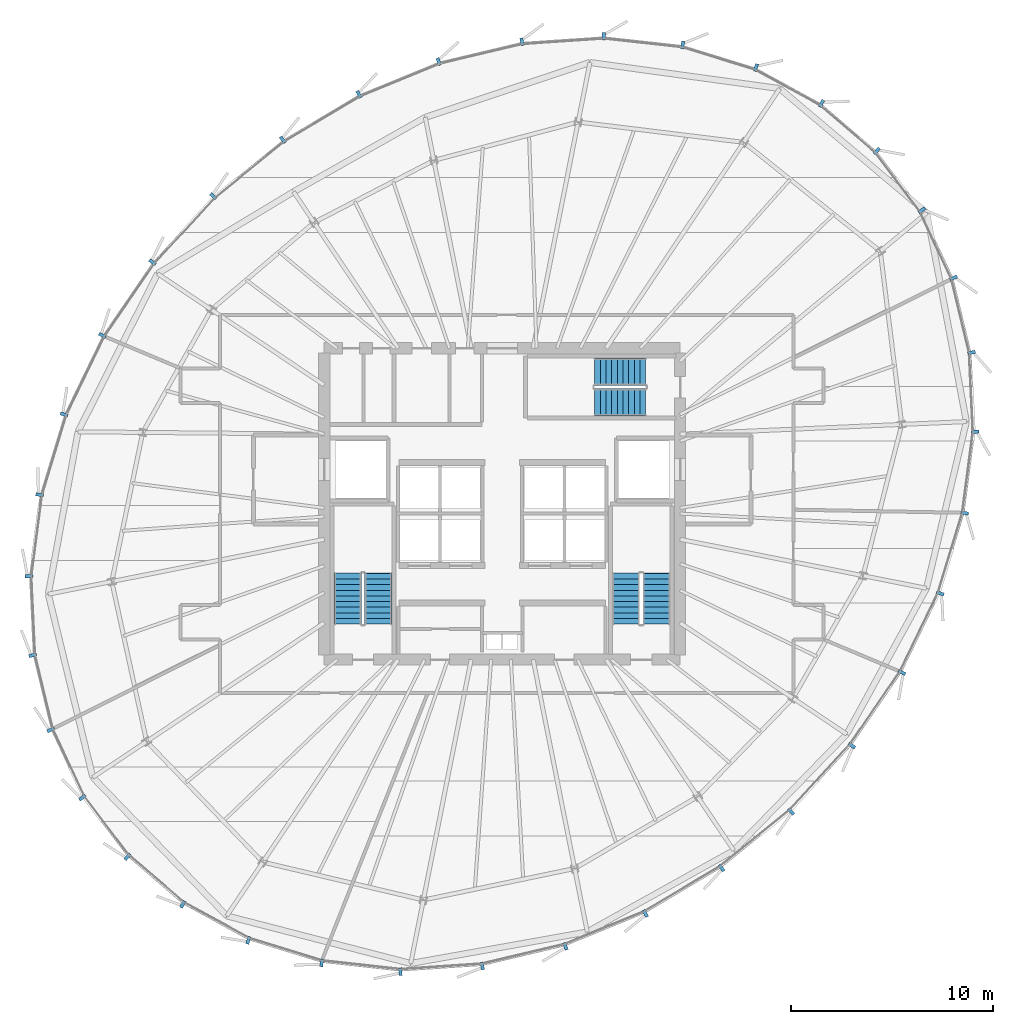
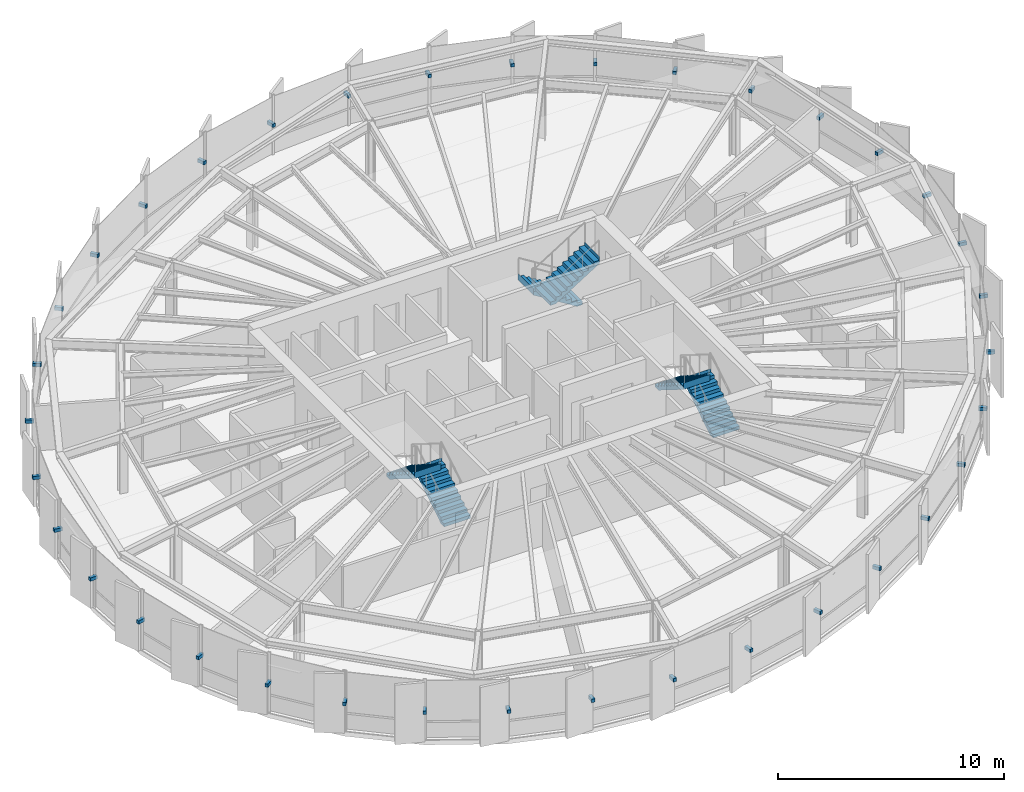
# One storey, part 31 of 34: 36 discrete accessories, 6 stair flights, 3 elements without a shape of their own.
"""IFC4 building model written with IfcOpenShell, lengths in metres."""

from ifc_helpers import new_model, si_unit, direction, frame, origin, origin_2d, place, context, subcontext, project, spatial, polyline, rectangle, outline, extrude, source, transform, mapped, material, type_object, element, aggregate, save


model = new_model("IFC4")

# Units and contexts
model_context = context("Model", 3, precision=1e-05, world=origin(), true_north=direction((0.0, 1.0)))
body_context = subcontext(model_context, "Body", "Model", "MODEL_VIEW")
ifc_project = project(units=[si_unit("LENGTHUNIT", "METRE"), si_unit("AREAUNIT", "SQUARE_METRE"), si_unit("VOLUMEUNIT", "CUBIC_METRE"), si_unit("PLANEANGLEUNIT", "RADIAN"), si_unit("MASSUNIT", "GRAM", prefix="KILO"), si_unit("THERMODYNAMICTEMPERATUREUNIT", "KELVIN")], contexts=[model_context])

# Site, building, storey
site_placement = place(None, origin())
site = spatial("IfcSite", under=ifc_project, at=site_placement, CompositionType="ELEMENT")
building_placement = place(site_placement, origin())
building = spatial("IfcBuilding", under=site, at=building_placement, Name="Kethvar Cultural Tower", CompositionType="ELEMENT")
storey_placement = place(building_placement, frame((0.0, 0.0, 207.89990234375)))
storey = spatial("IfcBuildingStorey", under=building, at=storey_placement, Name="L54", CompositionType="ELEMENT", Elevation=207.89990234375)

# Stair, stair flights
ifc_material_1 = material(Name="Concrete C40/50", Category="concrete")
stair_type = type_object("IfcStairType", Name="ST-DOGLEG-135", PredefinedType="HALF_TURN_STAIR", material=ifc_material_1)
stair_1_placement = place(storey_placement, origin())
stair_1 = element("IfcStair", 1, at=stair_1_placement, inside=storey, type_object=stair_type, Name="L54 Core Exit Stair 1", PredefinedType="HALF_TURN_STAIR")
stair_flight_type = type_object("IfcStairFlightType", Name="FL-STRAIGHT-135", PredefinedType="STRAIGHT", material=ifc_material_1)
stair_flight_1_placement = place(storey_placement, frame((40.675048828125, 21.85009765625, 0.0), z_axis=(0.0, 0.0, 1.0), x_axis=(0.0, 1.0, 0.0)))
stair_flight_1 = element("IfcStairFlight", 2, at=stair_flight_1_placement, type_object=stair_flight_type, Name="ST-01 flight 1", NumberOfRisers=10, NumberOfTreads=9, PredefinedType="STRAIGHT", RiserHeight=0.175, TreadLength=0.28, context=body_context, shape_type="SweptSolid", body=[
    extrude(outline(polyline([(-0.0009765625, -0.0009765625), (-0.0009765625, 0.175048828125), (0.280029296875, 0.175048828125), (0.280029296875, 0.35009765625), (0.56005859375, 0.35009765625), (0.56005859375, 0.52490234375), (0.840087890625, 0.52490234375), (0.840087890625, 0.699951171875), (1.1201171875, 0.699951171875), (1.1201171875, 0.875), (1.39990234375, 0.875), (1.39990234375, 1.050048828125), (1.679931640625, 1.050048828125), (1.679931640625, 1.22509765625), (1.9599609375, 1.22509765625), (1.9599609375, 1.39990234375), (2.239990234375, 1.39990234375), (2.239990234375, 1.574951171875), (2.52001953125, 1.574951171875), (2.52001953125, 1.75), (2.52099609375, 1.75), (2.52099609375, 1.398193359375), (0.28271484375, 0.0), (0.0, -0.0009765625), (-0.0009765625, -0.0009765625)])), frame((0.0, 0.675048828125, 0.0), z_axis=(0.0, -1.0, 0.0), x_axis=(1.0, 0.0, 0.0)), (0.0, 0.0, 1.0), 1.35009765625),
])
stair_flight_2_placement = place(storey_placement, frame((39.1650390625, 24.3701171875, 1.75), z_axis=(0.0, 0.0, 1.0), x_axis=(0.0, -1.0, 0.0)))
stair_flight_2 = element("IfcStairFlight", 3, at=stair_flight_2_placement, type_object=stair_flight_type, Name="ST-01 flight 2", NumberOfRisers=10, NumberOfTreads=9, PredefinedType="STRAIGHT", RiserHeight=0.175, TreadLength=0.28, context=body_context, shape_type="SweptSolid", body=[
    extrude(outline(polyline([(-0.0009765625, -0.0009765625), (-0.0009765625, 0.175048828125), (0.280029296875, 0.175048828125), (0.280029296875, 0.35009765625), (0.56005859375, 0.35009765625), (0.56005859375, 0.52490234375), (0.840087890625, 0.52490234375), (0.840087890625, 0.699951171875), (1.1201171875, 0.699951171875), (1.1201171875, 0.875), (1.39990234375, 0.875), (1.39990234375, 1.050048828125), (1.679931640625, 1.050048828125), (1.679931640625, 1.22509765625), (1.9599609375, 1.22509765625), (1.9599609375, 1.39990234375), (2.239990234375, 1.39990234375), (2.239990234375, 1.574951171875), (2.52001953125, 1.574951171875), (2.52001953125, 1.75), (2.52099609375, 1.75), (2.52099609375, 1.398193359375), (0.28271484375, 0.0), (0.0, -0.0009765625), (-0.0009765625, -0.0009765625)])), frame((0.0, 0.675048828125, 0.0), z_axis=(0.0, -1.0, 0.0), x_axis=(1.0, 0.0, 0.0)), (0.0, 0.0, 1.0), 1.35009765625),
])
aggregate(stair_1, [stair_flight_1, stair_flight_2])

stair_2_placement = place(storey_placement, origin())
stair_2 = element("IfcStair", 4, at=stair_2_placement, inside=storey, type_object=stair_type, Name="L54 Core Exit Stair 2", PredefinedType="HALF_TURN_STAIR")
stair_flight_3_placement = place(storey_placement, frame((54.43505859375, 21.85009765625, 0.0), z_axis=(0.0, 0.0, 1.0), x_axis=(0.0, 1.0, 0.0)))
stair_flight_3 = element("IfcStairFlight", 5, at=stair_flight_3_placement, type_object=stair_flight_type, Name="ST-02 flight 1", NumberOfRisers=10, NumberOfTreads=9, PredefinedType="STRAIGHT", RiserHeight=0.175, TreadLength=0.28, context=body_context, shape_type="SweptSolid", body=[
    extrude(outline(polyline([(-0.0009765625, -0.0009765625), (-0.0009765625, 0.175048828125), (0.280029296875, 0.175048828125), (0.280029296875, 0.35009765625), (0.56005859375, 0.35009765625), (0.56005859375, 0.52490234375), (0.840087890625, 0.52490234375), (0.840087890625, 0.699951171875), (1.1201171875, 0.699951171875), (1.1201171875, 0.875), (1.39990234375, 0.875), (1.39990234375, 1.050048828125), (1.679931640625, 1.050048828125), (1.679931640625, 1.22509765625), (1.9599609375, 1.22509765625), (1.9599609375, 1.39990234375), (2.239990234375, 1.39990234375), (2.239990234375, 1.574951171875), (2.52001953125, 1.574951171875), (2.52001953125, 1.75), (2.52099609375, 1.75), (2.52099609375, 1.398193359375), (0.28271484375, 0.0), (0.0, -0.0009765625), (-0.0009765625, -0.0009765625)])), frame((0.0, 0.675048828125, 0.0), z_axis=(0.0, -1.0, 0.0), x_axis=(1.0, 0.0, 0.0)), (0.0, 0.0, 1.0), 1.35009765625),
])
stair_flight_4_placement = place(storey_placement, frame((52.925048828125, 24.3701171875, 1.75), z_axis=(0.0, 0.0, 1.0), x_axis=(0.0, -1.0, 0.0)))
stair_flight_4 = element("IfcStairFlight", 6, at=stair_flight_4_placement, type_object=stair_flight_type, Name="ST-02 flight 2", NumberOfRisers=10, NumberOfTreads=9, PredefinedType="STRAIGHT", RiserHeight=0.175, TreadLength=0.28, context=body_context, shape_type="SweptSolid", body=[
    extrude(outline(polyline([(-0.0009765625, -0.0009765625), (-0.0009765625, 0.175048828125), (0.280029296875, 0.175048828125), (0.280029296875, 0.35009765625), (0.56005859375, 0.35009765625), (0.56005859375, 0.52490234375), (0.840087890625, 0.52490234375), (0.840087890625, 0.699951171875), (1.1201171875, 0.699951171875), (1.1201171875, 0.875), (1.39990234375, 0.875), (1.39990234375, 1.050048828125), (1.679931640625, 1.050048828125), (1.679931640625, 1.22509765625), (1.9599609375, 1.22509765625), (1.9599609375, 1.39990234375), (2.239990234375, 1.39990234375), (2.239990234375, 1.574951171875), (2.52001953125, 1.574951171875), (2.52001953125, 1.75), (2.52099609375, 1.75), (2.52099609375, 1.398193359375), (0.28271484375, 0.0), (0.0, -0.0009765625), (-0.0009765625, -0.0009765625)])), frame((0.0, 0.675048828125, 0.0), z_axis=(0.0, -1.0, 0.0), x_axis=(1.0, 0.0, 0.0)), (0.0, 0.0, 1.0), 1.35009765625),
])
aggregate(stair_2, [stair_flight_3, stair_flight_4])

stair_3_placement = place(storey_placement, origin())
stair_3 = element("IfcStair", 7, at=stair_3_placement, inside=storey, type_object=stair_type, Name="L54 Core Exit Stair 3", PredefinedType="HALF_TURN_STAIR")
stair_flight_5_placement = place(storey_placement, frame((53.89990234375, 34.3349609375, 0.0), z_axis=(0.0, 0.0, 1.0), x_axis=(-1.0, 0.0, 0.0)))
stair_flight_5 = element("IfcStairFlight", 8, at=stair_flight_5_placement, type_object=stair_flight_type, Name="ST-03 flight 1", NumberOfRisers=10, NumberOfTreads=9, PredefinedType="STRAIGHT", RiserHeight=0.175, TreadLength=0.28, context=body_context, shape_type="SweptSolid", body=[
    extrude(outline(polyline([(-0.0009765625, -0.0009765625), (-0.0009765625, 0.175048828125), (0.280029296875, 0.175048828125), (0.280029296875, 0.35009765625), (0.56005859375, 0.35009765625), (0.56005859375, 0.52490234375), (0.840087890625, 0.52490234375), (0.840087890625, 0.699951171875), (1.1201171875, 0.699951171875), (1.1201171875, 0.875), (1.39990234375, 0.875), (1.39990234375, 1.050048828125), (1.679931640625, 1.050048828125), (1.679931640625, 1.22509765625), (1.9599609375, 1.22509765625), (1.9599609375, 1.39990234375), (2.239990234375, 1.39990234375), (2.239990234375, 1.574951171875), (2.52001953125, 1.574951171875), (2.52001953125, 1.75), (2.52099609375, 1.75), (2.52099609375, 1.398193359375), (0.28271484375, 0.0), (0.0, -0.0009765625), (-0.0009765625, -0.0009765625)])), frame((0.0, 0.675048828125, 0.0), z_axis=(0.0, -1.0, 0.0), x_axis=(1.0, 0.0, 0.0)), (0.0, 0.0, 1.0), 1.35009765625),
])
stair_flight_6_placement = place(storey_placement, frame((51.3798828125, 32.824951171875, 1.75), z_axis=(0.0, 0.0, 1.0), x_axis=(1.0, 0.0, 0.0)))
stair_flight_6 = element("IfcStairFlight", 9, at=stair_flight_6_placement, type_object=stair_flight_type, Name="ST-03 flight 2", NumberOfRisers=10, NumberOfTreads=9, PredefinedType="STRAIGHT", RiserHeight=0.175, TreadLength=0.28, context=body_context, shape_type="SweptSolid", body=[
    extrude(outline(polyline([(-0.0009765625, -0.0009765625), (-0.0009765625, 0.175048828125), (0.280029296875, 0.175048828125), (0.280029296875, 0.35009765625), (0.56005859375, 0.35009765625), (0.56005859375, 0.52490234375), (0.840087890625, 0.52490234375), (0.840087890625, 0.699951171875), (1.1201171875, 0.699951171875), (1.1201171875, 0.875), (1.39990234375, 0.875), (1.39990234375, 1.050048828125), (1.679931640625, 1.050048828125), (1.679931640625, 1.22509765625), (1.9599609375, 1.22509765625), (1.9599609375, 1.39990234375), (2.239990234375, 1.39990234375), (2.239990234375, 1.574951171875), (2.52001953125, 1.574951171875), (2.52001953125, 1.75), (2.52099609375, 1.75), (2.52099609375, 1.398193359375), (0.28271484375, 0.0), (0.0, -0.0009765625), (-0.0009765625, -0.0009765625)])), frame((0.0, 0.675048828125, 0.0), z_axis=(0.0, -1.0, 0.0), x_axis=(1.0, 0.0, 0.0)), (0.0, 0.0, 1.0), 1.35009765625),
])
aggregate(stair_3, [stair_flight_5, stair_flight_6])

# Discrete accessories
ifc_material_2 = material(Name="Steel S355J2", Category="steel")
discrete_accessory_type = type_object("IfcDiscreteAccessoryType", Name="Steel Fin Bracket BRK-01", PredefinedType="BRACKET", material=ifc_material_2)
shared_shape = source(origin(), body_context, "Body", "SweptSolid", [
    extrude(rectangle(XDim=0.3798828125, YDim=0.159912109375, at=origin_2d()), origin(), (0.0, 0.0, 1.0), 0.179931640625),
])
for number, where, z_axis, x_axis, name in (
    (10, (65.32958984375, 45.255126953125, 1.5400390625), (0.0, 0.0, 1.0), (0.652230713301, 0.758020512009, 0.0), "L54 Terracotta Fin Bracket 1.1"),
    (11, (62.595458984375, 47.607177734375, 1.5400390625), (0.0, 0.0, 1.0), (0.480223497443, 0.877146163706, 0.0), "L54 Terracotta Fin Bracket 1.2"),
    (12, (59.351806640625, 49.3828125, 1.5400390625), (0.0, 0.0, 1.0), (0.295207826951, 0.955433063541, 0.0), "L54 Terracotta Fin Bracket 1.3"),
    (13, (55.72705078125, 50.50244140625, 1.5400390625), (0.0, 0.0, 1.0), (0.109734311091, 0.993960955455, 0.0), "L54 Terracotta Fin Bracket 1.4"),
    (14, (51.8310546875, 50.93212890625, 1.5400390625), (0.0, 0.0, 1.0), (-0.067318759124, 0.997731519333, 0.0), "L54 Terracotta Fin Bracket 1.5"),
    (15, (47.7822265625, 50.6591796875, 1.5400390625), (0.0, 0.0, 1.0), (-0.230729088093, 0.973018030618, 0.0), "L54 Terracotta Fin Bracket 1.6"),
    (16, (43.667724609375, 49.6767578125, 1.5400390625), (0.0, 0.0, 1.0), (-0.379133177301, 0.925342117203, 0.0), "L54 Terracotta Fin Bracket 2.1"),
    (17, (39.71923828125, 48.05908203125, 1.5400390625), (0.0, 0.0, 1.0), (-0.512192773854, 0.858870515509, 0.0), "L54 Terracotta Fin Bracket 2.2"),
    (18, (35.9501953125, 45.810791015625, 1.5400390625), (0.0, 0.0, 1.0), (-0.630675807431, 0.776046407067, 0.0), "L54 Terracotta Fin Bracket 2.3"),
    (19, (32.510498046875, 43.015869140625, 1.5400390625), (0.0, 0.0, 1.0), (-0.73491459515, 0.678159669868, 0.0), "L54 Terracotta Fin Bracket 2.4"),
    (20, (29.5048828125, 39.75830078125, 1.5400390625), (0.0, 0.0, 1.0), (-0.825014880368, 0.565111004292, 0.0), "L54 Terracotta Fin Bracket 2.5"),
    (21, (27.02490234375, 36.137451171875, 1.5400390625), (0.0, 0.0, 1.0), (-0.899710196736, 0.436487756861, 0.0), "L54 Terracotta Fin Bracket 2.6"),
    (22, (25.134033203125, 32.225830078125, 1.5400390625), (0.0, 0.0, 1.0), (-0.956610402488, 0.291370104596, 0.0), "L54 Terracotta Fin Bracket 3.1"),
    (23, (23.923828125, 28.25341796875, 1.5400390625), (0.0, 0.0, 1.0), (-0.99153574423, 0.129834001381, 0.0), "L54 Terracotta Fin Bracket 3.2"),
    (24, (23.3974609375, 24.229736328125, 1.5400390625), (0.0, 0.0, 1.0), (-0.998889874962, -0.04710645071, 0.0), "L54 Terracotta Fin Bracket 3.3"),
    (25, (23.58203125, 20.314208984375, 1.5400390625), (0.0, 0.0, 1.0), (-0.972083987461, -0.234633163303, 0.0), "L54 Terracotta Fin Bracket 3.4"),
    (26, (24.472412109375, 16.626220703125, 1.5400390625), (0.0, 0.0, 1.0), (-0.905568799011, -0.424199422745, 0.0), "L54 Terracotta Fin Bracket 3.5"),
    (27, (26.041259765625, 13.277587890625, 1.5400390625), (0.0, 0.0, 1.0), (-0.797478637023, -0.603347183213, 0.0), "L54 Terracotta Fin Bracket 3.6"),
    (28, (28.2705078125, 10.3447265625, 1.5400390625), (0.0, 0.0, 1.0), (-0.652230713301, -0.758020512009, 0.0), "L54 Terracotta Fin Bracket 4.1"),
    (29, (31.00439453125, 7.992919921875, 1.5400390625), (0.0, 0.0, 1.0), (-0.480223497443, -0.877146163706, 0.0), "L54 Terracotta Fin Bracket 4.2"),
    (30, (34.248046875, 6.21728515625, 1.5400390625), (0.0, 0.0, 1.0), (-0.295207826951, -0.955433063541, 0.0), "L54 Terracotta Fin Bracket 4.3"),
    (31, (37.872802734375, 5.09765625, 1.5400390625), (0.0, 0.0, 1.0), (-0.109734311091, -0.993960955455, 0.0), "L54 Terracotta Fin Bracket 4.4"),
    (32, (41.76904296875, 4.66796875, 1.5400390625), (0.0, 0.0, 1.0), (0.067318759124, -0.997731519333, 0.0), "L54 Terracotta Fin Bracket 4.5"),
    (33, (45.817626953125, 4.94091796875, 1.5400390625), (0.0, 0.0, 1.0), (0.230729088093, -0.973018030618, 0.0), "L54 Terracotta Fin Bracket 4.6"),
    (34, (49.932373046875, 5.923095703125, 1.5400390625), (0.0, 0.0, 1.0), (0.379133177301, -0.925342117203, 0.0), "L54 Terracotta Fin Bracket 5.1"),
    (35, (53.880615234375, 7.541015625, 1.5400390625), (0.0, 0.0, 1.0), (0.512192773854, -0.858870515509, 0.0), "L54 Terracotta Fin Bracket 5.2"),
    (36, (57.64990234375, 9.7890625, 1.5400390625), (0.0, 0.0, 1.0), (0.630675807431, -0.776046407067, 0.0), "L54 Terracotta Fin Bracket 5.3"),
    (37, (61.089599609375, 12.584228515625, 1.5400390625), (0.0, 0.0, 1.0), (0.73491459515, -0.678159669868, 0.0), "L54 Terracotta Fin Bracket 5.4"),
    (38, (64.09521484375, 15.841796875, 1.5400390625), (0.0, 0.0, 1.0), (0.825014880368, -0.565111004292, 0.0), "L54 Terracotta Fin Bracket 5.5"),
    (39, (66.5751953125, 19.46240234375, 1.5400390625), (0.0, 0.0, 1.0), (0.899710196736, -0.436487756861, 0.0), "L54 Terracotta Fin Bracket 5.6"),
    (40, (68.4658203125, 23.3740234375, 1.5400390625), (0.0, 0.0, 1.0), (0.956610402488, -0.291370104596, 0.0), "L54 Terracotta Fin Bracket 6.1"),
    (41, (69.676025390625, 27.3466796875, 1.5400390625), (0.0, 0.0, 1.0), (0.99153574423, -0.129834001381, 0.0), "L54 Terracotta Fin Bracket 6.2"),
    (42, (70.202392578125, 31.370361328125, 1.5400390625), (0.0, 0.0, 1.0), (0.998889874962, 0.04710645071, 0.0), "L54 Terracotta Fin Bracket 6.3"),
    (43, (70.017822265625, 35.285888671875, 1.5400390625), (0.0, 0.0, 1.0), (0.972083987461, 0.234633163303, 0.0), "L54 Terracotta Fin Bracket 6.4"),
    (44, (69.127685546875, 38.973876953125, 1.5400390625), (0.0, 0.0, 1.0), (0.905568799011, 0.424199422745, 0.0), "L54 Terracotta Fin Bracket 6.5"),
    (45, (67.558837890625, 42.322509765625, 1.5400390625), (0.0, 0.0, 1.0), (0.797478637023, 0.603347183213, 0.0), "L54 Terracotta Fin Bracket 6.6"),
):
    element("IfcDiscreteAccessory", number, at=place(storey_placement, frame(where, z_axis=z_axis, x_axis=x_axis)), inside=storey, type_object=discrete_accessory_type, Name=name, PredefinedType="BRACKET", context=body_context, shape_type="MappedRepresentation", body=[
        mapped(shared_shape, transform((0.0, 0.0, 0.0), scale=1.0)),
    ])

save(model, "model.ifc")
